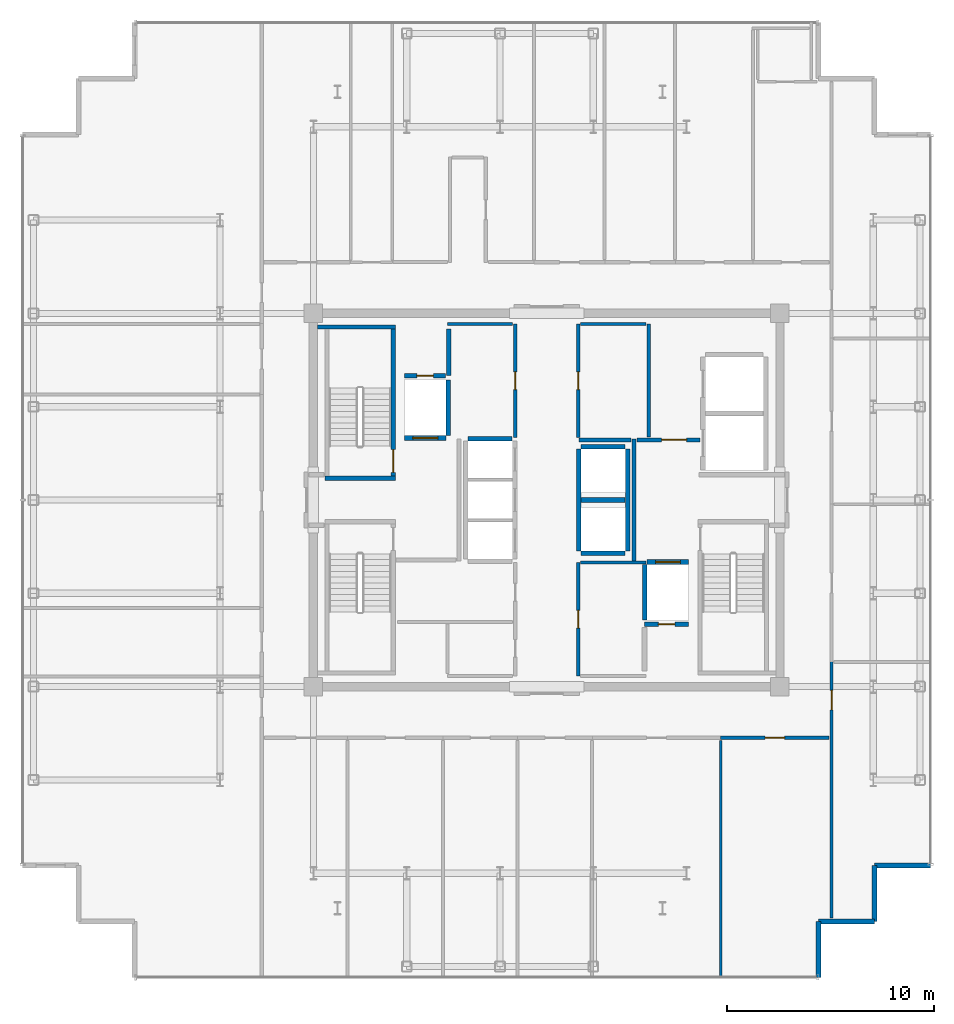
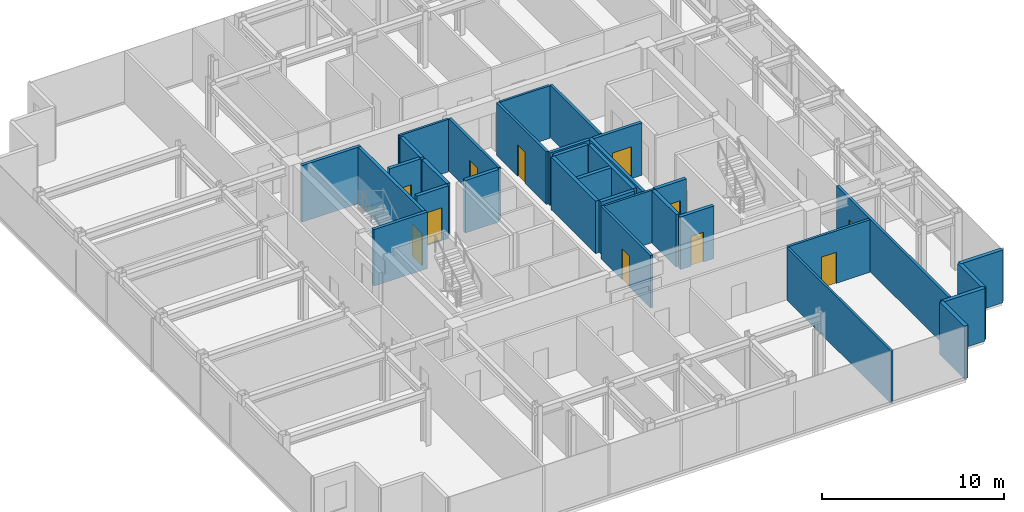
# One storey, part 14 of 17: 33 walls, 11 doors, 11 openings.
"""IFC4 building model written with IfcOpenShell, lengths in metres."""

import ifcopenshell
import ifcopenshell.guid

model = None  # the IFC model being written
_history = None  # IfcOwnerHistory: only IFC2X3 demands one
_inside = {}  # id of a spatial element -> (the spatial element, [elements in it])
_under = {}  # id of a project, library or spatial element -> (it, [spatial elements below it])
_declared = {}  # id of a project -> (the project, [libraries it declares])
_typed = {}  # id of a type object -> (the type object, [elements of that type])
_made_of = {}  # id of a material, layer set ... -> (it, [elements and type objects made of it])


def new_model(schema):
    """Start an empty IFC model of exactly this schema.

    Asked for "IFC4X3", IfcOpenShell would pick the latest addendum, in which some entities
    have other attributes; the version numbers below select the first issue.
    IFC2X3 requires an IfcOwnerHistory on every rooted entity: one is made here for all.
    """
    global model, _history
    if schema == "IFC4X3":
        model = ifcopenshell.file(schema_version=(4, 3, 0, 0))
    else:
        model = ifcopenshell.file(schema=schema)
    _inside.clear()
    _under.clear()
    _declared.clear()
    _typed.clear()
    _made_of.clear()
    _history = None
    if model.schema == "IFC2X3":
        org = make("IfcOrganization", Name="unknown")
        user = make(
            "IfcPersonAndOrganization",
            ThePerson=make("IfcPerson", FamilyName="unknown"),
            TheOrganization=org,
        )
        app = make(
            "IfcApplication",
            ApplicationDeveloper=org,
            Version="unknown",
            ApplicationFullName="unknown",
            ApplicationIdentifier="unknown",
        )
        _history = make(
            "IfcOwnerHistory",
            OwningUser=user,
            OwningApplication=app,
            ChangeAction="ADDED",
            CreationDate=0,
        )
    return model


def make(cls, **values):
    """One entity of the class cls with the attributes given. An attribute that is None is left unset."""
    return model.create_entity(
        cls, **{name: value for name, value in values.items() if value is not None}
    )


def rooted(cls, **values):
    """An entity with a GlobalId (a new one), such as an element, a storey or a relation."""
    return make(cls, GlobalId=ifcopenshell.guid.new(), OwnerHistory=_history, **values)


def si_unit(unit_type, name, prefix=None):
    """IfcSIUnit, for example si_unit("LENGTHUNIT", "METRE", prefix="MILLI")."""
    return make("IfcSIUnit", UnitType=unit_type, Prefix=prefix, Name=name)


def assignment(units):
    """IfcUnitAssignment: the units of a project."""
    return None if units is None else make("IfcUnitAssignment", Units=units)


def point(xyz):
    """IfcCartesianPoint."""
    return None if xyz is None else make("IfcCartesianPoint", Coordinates=xyz)


def direction(xyz):
    """IfcDirection."""
    return None if xyz is None else make("IfcDirection", DirectionRatios=xyz)


def frame(location, z_axis=None, x_axis=None):
    """IfcAxis2Placement3D, a coordinate frame: its origin and axes. An axis left out is left unset."""
    return make(
        "IfcAxis2Placement3D",
        Location=point(location),
        Axis=direction(z_axis),
        RefDirection=direction(x_axis),
    )


def frame_2d(location, x_axis=None):
    """IfcAxis2Placement2D, a coordinate frame in the plane: its origin and x axis."""
    return make(
        "IfcAxis2Placement2D", Location=point(location), RefDirection=direction(x_axis)
    )


def origin():
    """The frame at (0, 0, 0) with its axes left unset."""
    return frame((0.0, 0.0, 0.0))


def place(relative_to, where):
    """IfcLocalPlacement: puts the frame where relative to a parent placement (None: the world)."""
    return make(
        "IfcLocalPlacement", PlacementRelTo=relative_to, RelativePlacement=where
    )


def context(
    kind, dimensions, precision=None, world=None, true_north=None, identifier=None
):
    """IfcGeometricRepresentationContext, for example the 3D "Model" context."""
    return make(
        "IfcGeometricRepresentationContext",
        ContextIdentifier=identifier,
        ContextType=kind,
        CoordinateSpaceDimension=dimensions,
        Precision=precision,
        WorldCoordinateSystem=world,
        TrueNorth=true_north,
    )


def subcontext(parent, identifier, kind, view, scale=None):
    """IfcGeometricRepresentationSubContext, for example "Body" below "Model"."""
    return make(
        "IfcGeometricRepresentationSubContext",
        ContextIdentifier=identifier,
        ContextType=kind,
        ParentContext=parent,
        TargetScale=scale,
        TargetView=view,
    )


def project(units=None, contexts=None):
    """IfcProject with its units and contexts."""
    return rooted(
        "IfcProject",
        Name="project",
        RepresentationContexts=contexts,
        UnitsInContext=assignment(units),
    )


def spatial(cls, under=None, at=None, **own):
    """A site, building, storey or space (cls), placed at a placement, below another one or the project."""
    s = rooted(cls, ObjectPlacement=at, **own)
    if under is not None:
        _under.setdefault(under.id(), (under, []))[1].append(s)
    return s


def profile(cls, at=None, kind="AREA", **sizes):
    """A parametric profile (cls). Its sizes go by their IFC names, for example OverallWidth=200.0."""
    return make(cls, ProfileType=kind, Position=at, **sizes)


def rectangle(**sizes):
    """IfcRectangleProfileDef."""
    return profile("IfcRectangleProfileDef", **sizes)


def extrude(swept, where, along, depth):
    """IfcExtrudedAreaSolid: the profile swept, set in the frame where, extruded along a direction by depth."""
    return make(
        "IfcExtrudedAreaSolid",
        SweptArea=swept,
        Position=where,
        ExtrudedDirection=direction(along),
        Depth=depth,
    )


def shape(context_of_items, identifier, shape_type, items):
    """IfcShapeRepresentation: the items that make up one representation, for example the "Body"."""
    return make(
        "IfcShapeRepresentation",
        ContextOfItems=context_of_items,
        RepresentationIdentifier=identifier,
        RepresentationType=shape_type,
        Items=items,
    )


def source(mapping_origin, context_of_items, identifier, shape_type, items):
    """IfcRepresentationMap: a shape defined once, which mapped items show again and again."""
    return make(
        "IfcRepresentationMap",
        MappingOrigin=mapping_origin,
        MappedRepresentation=shape(context_of_items, identifier, shape_type, items),
    )


def transform(
    local_origin,
    x_axis=None,
    y_axis=None,
    z_axis=None,
    scale=None,
    scale2=None,
    scale3=None,
    uniform=True,
):
    """IfcCartesianTransformationOperator3D, or its non-uniform kind. x_axis, y_axis, z_axis: its Axis1, 2, 3."""
    if uniform:
        return make(
            "IfcCartesianTransformationOperator3D",
            Axis1=direction(x_axis),
            Axis2=direction(y_axis),
            LocalOrigin=point(local_origin),
            Scale=scale,
            Axis3=direction(z_axis),
        )
    return make(
        "IfcCartesianTransformationOperator3DnonUniform",
        Axis1=direction(x_axis),
        Axis2=direction(y_axis),
        LocalOrigin=point(local_origin),
        Scale=scale,
        Axis3=direction(z_axis),
        Scale2=scale2,
        Scale3=scale3,
    )


def mapped(mapping_source, mapping_target):
    """IfcMappedItem: shows the shape of a source again, moved by a transform."""
    return make(
        "IfcMappedItem", MappingSource=mapping_source, MappingTarget=mapping_target
    )


def material(Name=None, Category=None):
    """IfcMaterial."""
    return make("IfcMaterial", Name=Name, Category=Category)


def layer(
    of_material, thickness, ventilated=None, Name=None, Category=None, Priority=None
):
    """IfcMaterialLayer: one layer of a wall or slab, of a material (None: an air gap)."""
    return make(
        "IfcMaterialLayer",
        Material=of_material,
        LayerThickness=thickness,
        IsVentilated=ventilated,
        Name=Name,
        Category=Category,
        Priority=Priority,
    )


def layer_set(layers, Name=None):
    """IfcMaterialLayerSet."""
    return make("IfcMaterialLayerSet", MaterialLayers=layers, LayerSetName=Name)


def made_of(thing, what):
    """Note that an element or type object is made of a material, layer set ...; save() writes the relation."""
    if what is not None:
        _made_of.setdefault(what.id(), (what, []))[1].append(thing)
    return thing


def type_object(cls, material=None, **own):
    """A type object (cls), such as IfcWallType, which elements share."""
    return made_of(rooted(cls, **own), material)


def element(
    cls,
    number,
    at=None,
    inside=None,
    cuts=None,
    type_object=None,
    material=None,
    context=None,
    identifier="Body",
    shape_type=None,
    held_by="IfcProductDefinitionShape",
    body=None,
    shapes=None,
    **own,
):
    """One element of the class cls, such as IfcWall. Its Tag is "e" and its number.

    at: its placement. inside: the storey or other place that contains it. cuts: it is an
    opening in that element (IfcRelVoidsElement). A single representation is given by context,
    identifier, shape_type and body (its items); several are given by shapes. held_by: the class
    of the entity that holds the representations. save() writes the other relations.
    """
    e = rooted(cls, Tag="e%d" % number, ObjectPlacement=at, **own)
    if body is not None:
        shapes = [shape(context, identifier, shape_type, body)]
    if shapes is not None:
        e.Representation = make(held_by, Representations=shapes)
    if inside is not None:
        _inside.setdefault(inside.id(), (inside, []))[1].append(e)
    if cuts is not None:
        rooted(
            "IfcRelVoidsElement", RelatingBuildingElement=cuts, RelatedOpeningElement=e
        )
    if type_object is not None:
        _typed.setdefault(type_object.id(), (type_object, []))[1].append(e)
    return made_of(e, material)


def fill(opening, filler):
    """IfcRelFillsElement: the door or window that sits in an opening."""
    return rooted(
        "IfcRelFillsElement",
        RelatingOpeningElement=opening,
        RelatedBuildingElement=filler,
    )


def aggregate(whole, parts):
    """IfcRelAggregates: a whole, such as a stair, and the parts it consists of."""
    return rooted("IfcRelAggregates", RelatingObject=whole, RelatedObjects=parts)


def save(model, path):
    """Write the relations noted so far, then the file.

    IfcRelAggregates (storeys below a building ...), IfcRelContainedInSpatialStructure (elements
    in a storey), IfcRelDefinesByType, IfcRelAssociatesMaterial and IfcRelDeclares: one each for
    every whole, place, type object, material and project.
    """
    for whole, parts in _under.values():
        aggregate(whole, parts)
    for where, things in _inside.values():
        rooted(
            "IfcRelContainedInSpatialStructure",
            RelatedElements=things,
            RelatingStructure=where,
        )
    for kind, things in _typed.values():
        rooted("IfcRelDefinesByType", RelatedObjects=things, RelatingType=kind)
    for what, things in _made_of.values():
        rooted("IfcRelAssociatesMaterial", RelatedObjects=things, RelatingMaterial=what)
    for by, libraries in _declared.values():
        rooted("IfcRelDeclares", RelatingContext=by, RelatedDefinitions=libraries)
    model.write(path)


model = new_model("IFC4")

# Units and contexts
model_context = context("Model", 3, precision=1e-05, world=origin(), true_north=direction((0.0, 1.0)))
body_context = subcontext(model_context, "Body", "Model", "MODEL_VIEW")
ifc_project = project(units=[si_unit("LENGTHUNIT", "METRE"), si_unit("AREAUNIT", "SQUARE_METRE"), si_unit("VOLUMEUNIT", "CUBIC_METRE"), si_unit("PLANEANGLEUNIT", "RADIAN"), si_unit("MASSUNIT", "GRAM", prefix="KILO")], contexts=[model_context])

# Site, building, storey
site_placement = place(None, origin())
site = spatial("IfcSite", under=ifc_project, at=site_placement, CompositionType="ELEMENT")
building_placement = place(site_placement, origin())
building = spatial("IfcBuilding", under=site, at=building_placement, Name="Nefas-Gora Pilgrimage Tower", CompositionType="ELEMENT")
storey_placement = place(building_placement, frame((0.0, 0.0, 341.39990234375)))
storey = spatial("IfcBuildingStorey", under=building, at=storey_placement, Name="L86", CompositionType="ELEMENT", Elevation=341.39990234375)

# Walls
ifc_material_1 = material(Name="Precast concrete C45/55", Category="concrete")
ifc_layer_1 = layer(ifc_material_1, 0.239990234375)
ifc_layer_set_1 = layer_set([ifc_layer_1], Name="Precast concrete C45/55")
wall_type_1 = type_object("IfcWallType", Name="EW-SERR-240", PredefinedType="SHEAR", material=ifc_layer_set_1)
shared_shape_1 = source(origin(), body_context, "Body", "SweptSolid", [
    extrude(rectangle(XDim=2.699951171875, YDim=0.239990234375, at=frame_2d((1.35009765625, 0.0))), origin(), (0.0, 0.0, 1.0), 3.550048828125),
])
for number, where, z_axis, x_axis, name in (
    (1, (13.1201171875, -23.02001953125, 0.0), (0.0, 0.0, 1.0), (0.0, 1.0, 0.0), "L86 Serrated Corner Shear Pier Wall 13"),
    (2, (13.1201171875, -20.320068359375, 0.0), (0.0, 0.0, 1.0), (1.0, 0.0, 0.0), "L86 Serrated Corner Shear Pier Wall 14"),
    (3, (15.820068359375, -20.320068359375, 0.0), (0.0, 0.0, 1.0), (0.0, 1.0, 0.0), "L86 Serrated Corner Shear Pier Wall 15"),
    (4, (15.820068359375, -17.6201171875, 0.0), (0.0, 0.0, 1.0), (1.0, 0.0, 0.0), "L86 Serrated Corner Shear Pier Wall 16"),
):
    element("IfcWall", number, at=place(storey_placement, frame(where, z_axis=z_axis, x_axis=x_axis)), inside=storey, type_object=wall_type_1, Name=name, PredefinedType="SHEAR", context=body_context, shape_type="MappedRepresentation", body=[
        mapped(shared_shape_1, transform((0.0, 0.0, 0.0), x_axis=(1.0, 0.0, 0.0), y_axis=(0.0, 1.0, 0.0), z_axis=(0.0, 0.0, 1.0), scale=1.0)),
    ])
ifc_material_2 = material(Name="Concrete C45/55", Category="concrete")
ifc_layer_2 = layer(ifc_material_2, 0.199951171875)
ifc_layer_set_2 = layer_set([ifc_layer_2], Name="Concrete C45/55")
wall_type_2 = type_object("IfcWallType", Name="IW-STAIR-200", PredefinedType="SOLIDWALL", material=ifc_layer_set_2)
shared_shape_2 = source(origin(), body_context, "Body", "SweptSolid", [
    extrude(rectangle(XDim=3.39990234375, YDim=0.199951171875, at=frame_2d((1.699951171875, 0.0))), origin(), (0.0, 0.0, 1.0), 3.800048828125),
])
wall_1_placement = place(storey_placement, frame((-7.300048828125, 1.050048828125, 0.0), z_axis=(0.0, 0.0, 1.0), x_axis=(-1.0, 0.0, 0.0)))
element("IfcWall", 5, at=wall_1_placement, inside=storey, type_object=wall_type_2, Name="L86 Stairwell Shear Wall ST-01-near", PredefinedType="SOLIDWALL", context=body_context, shape_type="MappedRepresentation", body=[
    mapped(shared_shape_2, transform((0.0, 0.0, 0.0), x_axis=(1.0, 0.0, 0.0), y_axis=(0.0, 1.0, 0.0), z_axis=(0.0, 0.0, 1.0), scale=1.0)),
])

# Wall, opening, door
shared_shape_3 = source(origin(), body_context, "Body", "SweptSolid", [
    extrude(rectangle(XDim=7.10009765625, YDim=0.199951171875, at=frame_2d((3.550048828125, 0.0))), origin(), (0.0, 0.0, 1.0), 3.800048828125),
])
wall_2_placement = place(storey_placement, frame((-7.39990234375, 1.14990234375, 0.0), z_axis=(0.0, 0.0, 1.0), x_axis=(0.0, 1.0, 0.0)))
wall_2 = element("IfcWall", 6, at=wall_2_placement, inside=storey, type_object=wall_type_2, Name="L86 Stairwell Shear Wall ST-01-left", PredefinedType="SOLIDWALL", context=body_context, shape_type="MappedRepresentation", body=[
    mapped(shared_shape_3, transform((0.0, 0.0, 0.0), x_axis=(1.0, 0.0, 0.0), y_axis=(0.0, 1.0, 0.0), z_axis=(0.0, 0.0, 1.0), scale=1.0)),
])
opening_1_placement = place(wall_2_placement, frame((0.179931640625, 0.0, 0.0)))
opening_1 = element("IfcOpeningElement", 7, at=opening_1_placement, cuts=wall_2, Name="Opening ID-ST1", PredefinedType="OPENING", context=body_context, shape_type="SweptSolid", body=[
    extrude(rectangle(XDim=1.10009765625, YDim=2.14990234375, at=frame_2d((0.550048828125, 1.074951171875))), frame((0.0, 0.10986328125, 0.0), z_axis=(0.0, -1.0, 0.0), x_axis=(1.0, 0.0, 0.0)), (0.0, 0.0, 1.0), 0.219970703125),
])
ifc_material_3 = material(Name="Painted galvanised steel fire stair door", Category="steel")
door_type_1 = type_object("IfcDoorType", Name="DR-INT-STAIR-1100", OperationType="NOTDEFINED", PredefinedType="DOOR", material=ifc_material_3)
shared_shape_4 = source(origin(), body_context, "Body", "SweptSolid", [
    extrude(rectangle(XDim=1.10009765625, YDim=2.14990234375, at=frame_2d((0.550048828125, 1.074951171875))), frame((0.0, 0.02490234375, 0.0), z_axis=(0.0, -1.0, 0.0), x_axis=(1.0, 0.0, 0.0)), (0.0, 0.0, 1.0), 0.050048828125),
])
door_1_placement = place(opening_1_placement, origin())
door_1 = element("IfcDoor", 8, at=door_1_placement, inside=storey, type_object=door_type_1, Name="L86 Protected Exit Stair Door ST-01", OperationType="SINGLE_SWING_RIGHT", OverallHeight=2.14990234375, OverallWidth=1.10009765625, PredefinedType="DOOR", context=body_context, shape_type="MappedRepresentation", body=[
    mapped(shared_shape_4, transform((0.0, 0.0, 0.0), x_axis=(1.0, 0.0, 0.0), y_axis=(0.0, 1.0, 0.0), z_axis=(0.0, 0.0, 1.0), scale=1.0)),
])
fill(opening_1, door_1)

# Wall
shared_shape_5 = source(origin(), body_context, "Body", "SweptSolid", [
    extrude(rectangle(XDim=3.7548828125, YDim=0.199951171875, at=frame_2d((1.87744140625, 0.0))), origin(), (0.0, 0.0, 1.0), 3.800048828125),
])
wall_3_placement = place(storey_placement, frame((-7.300048828125, 8.35009765625, 0.0), z_axis=(0.0, 0.0, 1.0), x_axis=(-1.0, 0.0, 0.0)))
element("IfcWall", 9, at=wall_3_placement, inside=storey, type_object=wall_type_2, Name="L86 Stairwell Shear Wall ST-01-far", PredefinedType="SOLIDWALL", context=body_context, shape_type="MappedRepresentation", body=[
    mapped(shared_shape_5, transform((0.0, 0.0, 0.0), x_axis=(1.0, 0.0, 0.0), y_axis=(0.0, 1.0, 0.0), z_axis=(0.0, 0.0, 1.0), scale=1.0)),
])

# Wall, opening, door
ifc_material_4 = material(Name="Concrete C40/50", Category="concrete")
ifc_layer_3 = layer(ifc_material_4, 0.219970703125)
ifc_layer_set_3 = layer_set([ifc_layer_3], Name="Concrete C40/50")
wall_type_3 = type_object("IfcWallType", Name="IW-SHAFT-220", PredefinedType="SOLIDWALL", material=ifc_layer_set_3)
shared_shape_6 = source(origin(), body_context, "Body", "SweptSolid", [
    extrude(rectangle(XDim=2.0, YDim=0.219970703125, at=frame_2d((1.0, 0.0))), origin(), (0.0, 0.0, 1.0), 3.53515625),
])
wall_4_placement = place(storey_placement, frame((-6.85009765625, 2.989990234375, 0.0), z_axis=(0.0, 0.0, 1.0), x_axis=(1.0, 0.0, 0.0)))
wall_4 = element("IfcWall", 10, at=wall_4_placement, inside=storey, type_object=wall_type_3, Name="L86 Hoistway Wall FFL-01-S", PredefinedType="SOLIDWALL", context=body_context, shape_type="MappedRepresentation", body=[
    mapped(shared_shape_6, transform((0.0, 0.0, 0.0), x_axis=(1.0, 0.0, 0.0), y_axis=(0.0, 1.0, 0.0), z_axis=(0.0, 0.0, 1.0), scale=1.0)),
])
opening_2_placement = place(wall_4_placement, frame((0.39990234375, 0.0, 0.0)))
opening_2 = element("IfcOpeningElement", 11, at=opening_2_placement, cuts=wall_4, Name="Opening LD-FF", PredefinedType="OPENING", context=body_context, shape_type="SweptSolid", body=[
    extrude(rectangle(XDim=1.199951171875, YDim=2.199951171875, at=frame_2d((0.60009765625, 1.10009765625))), frame((0.0, 0.119873046875, 0.0), z_axis=(0.0, -1.0, 0.0), x_axis=(1.0, 0.0, 0.0)), (0.0, 0.0, 1.0), 0.239990234375),
])
ifc_material_5 = material(Name="Fire-service sliding lift landing door")
door_type_2 = type_object("IfcDoorType", Name="DR-LIFT-FSAE-1200", OperationType="SLIDING_TO_LEFT", PredefinedType="DOOR", material=ifc_material_5)
shared_shape_7 = source(origin(), body_context, "Body", "SweptSolid", [
    extrude(rectangle(XDim=1.199951171875, YDim=2.199951171875, at=frame_2d((0.60009765625, 1.10009765625))), frame((0.0, 0.02490234375, 0.0), z_axis=(0.0, -1.0, 0.0), x_axis=(1.0, 0.0, 0.0)), (0.0, 0.0, 1.0), 0.050048828125),
])
door_2_placement = place(opening_2_placement, origin())
door_2 = element("IfcDoor", 12, at=door_2_placement, inside=storey, type_object=door_type_2, Name="L86 Sliding Lift Landing Door FFL-01", OperationType="SLIDING_TO_LEFT", OverallHeight=2.199951171875, OverallWidth=1.199951171875, PredefinedType="DOOR", context=body_context, shape_type="MappedRepresentation", body=[
    mapped(shared_shape_7, transform((0.0, 0.0, 0.0), x_axis=(1.0, 0.0, 0.0), y_axis=(0.0, 1.0, 0.0), z_axis=(0.0, 0.0, 1.0), scale=1.0)),
])
fill(opening_2, door_2)

wall_5_placement = place(storey_placement, frame((6.85009765625, -2.989990234375, 0.0), z_axis=(0.0, 0.0, 1.0), x_axis=(-1.0, 0.0, 0.0)))
wall_5 = element("IfcWall", 13, at=wall_5_placement, inside=storey, type_object=wall_type_3, Name="L86 Hoistway Wall FFL-02-N", PredefinedType="SOLIDWALL", context=body_context, shape_type="MappedRepresentation", body=[
    mapped(shared_shape_6, transform((0.0, 0.0, 0.0), x_axis=(1.0, 0.0, 0.0), y_axis=(0.0, 1.0, 0.0), z_axis=(0.0, 0.0, 1.0), scale=1.0)),
])
opening_3_placement = place(wall_5_placement, frame((0.39990234375, 0.0, 0.0)))
opening_3 = element("IfcOpeningElement", 14, at=opening_3_placement, cuts=wall_5, Name="Opening LD-FF", PredefinedType="OPENING", context=body_context, shape_type="SweptSolid", body=[
    extrude(rectangle(XDim=1.199951171875, YDim=2.199951171875, at=frame_2d((0.60009765625, 1.10009765625))), frame((0.0, 0.119873046875, 0.0), z_axis=(0.0, -1.0, 0.0), x_axis=(1.0, 0.0, 0.0)), (0.0, 0.0, 1.0), 0.239990234375),
])
door_3_placement = place(opening_3_placement, origin())
door_3 = element("IfcDoor", 15, at=door_3_placement, inside=storey, type_object=door_type_2, Name="L86 Sliding Lift Landing Door FFL-02", OperationType="SLIDING_TO_LEFT", OverallHeight=2.199951171875, OverallWidth=1.199951171875, PredefinedType="DOOR", context=body_context, shape_type="MappedRepresentation", body=[
    mapped(shared_shape_7, transform((0.0, 0.0, 0.0), x_axis=(1.0, 0.0, 0.0), y_axis=(0.0, 1.0, 0.0), z_axis=(0.0, 0.0, 1.0), scale=1.0)),
])
fill(opening_3, door_3)

# Walls
shared_shape_8 = source(origin(), body_context, "Body", "SweptSolid", [
    extrude(rectangle(XDim=2.679931640625, YDim=0.219970703125, at=frame_2d((1.33984375, 0.0))), origin(), (0.0, 0.0, 1.0), 3.53515625),
])
for number, where, z_axis, x_axis, name in (
    (16, (-4.739990234375, 3.110107421875, 0.0), (0.0, 0.0, 1.0), (0.0, 1.0, 0.0), "L86 Hoistway Wall FFL-01-E"),
    (17, (4.739990234375, -3.110107421875, 0.0), (0.0, 0.0, 1.0), (0.0, -1.0, 0.0), "L86 Hoistway Wall FFL-02-W"),
):
    element("IfcWall", number, at=place(storey_placement, frame(where, z_axis=z_axis, x_axis=x_axis)), inside=storey, type_object=wall_type_3, Name=name, PredefinedType="SOLIDWALL", context=body_context, shape_type="MappedRepresentation", body=[
        mapped(shared_shape_8, transform((0.0, 0.0, 0.0), x_axis=(1.0, 0.0, 0.0), y_axis=(0.0, 1.0, 0.0), z_axis=(0.0, 0.0, 1.0), scale=1.0)),
    ])
shared_shape_9 = source(origin(), body_context, "Body", "SweptSolid", [
    extrude(rectangle(XDim=2.130126953125, YDim=0.219970703125, at=frame_2d((1.06494140625, 0.0))), origin(), (0.0, 0.0, 1.0), 3.53515625),
])
for number, where, z_axis, x_axis, name in (
    (18, (-1.659912109375, 2.9599609375, 0.0), (0.0, 0.0, 1.0), (-1.0, 0.0, 0.0), "L86 Hoistway Wall PL3-03-N"),
    (19, (1.659912109375, -2.56005859375, 0.0), (0.0, 0.0, 1.0), (1.0, 0.0, 0.0), "L86 Hoistway Wall OBS-01-S"),
    (20, (1.659912109375, 0.0, 0.0), (0.0, 0.0, 1.0), (1.0, 0.0, 0.0), "L86 Hoistway Wall OBS-01-02-DIV"),
    (21, (3.7900390625, 2.56005859375, 0.0), (0.0, 0.0, 1.0), (-1.0, 0.0, 0.0), "L86 Hoistway Wall OBS-02-N"),
):
    element("IfcWall", number, at=place(storey_placement, frame(where, z_axis=z_axis, x_axis=x_axis)), inside=storey, type_object=wall_type_3, Name=name, PredefinedType="SOLIDWALL", context=body_context, shape_type="MappedRepresentation", body=[
        mapped(shared_shape_9, transform((0.0, 0.0, 0.0), x_axis=(1.0, 0.0, 0.0), y_axis=(0.0, 1.0, 0.0), z_axis=(0.0, 0.0, 1.0), scale=1.0)),
    ])

# Wall, opening, door
wall_6_placement = place(storey_placement, frame((4.719970703125, -6.0, 0.0), z_axis=(0.0, 0.0, 1.0), x_axis=(1.0, 0.0, 0.0)))
wall_6 = element("IfcWall", 22, at=wall_6_placement, inside=storey, type_object=wall_type_3, Name="L86 Riser Shaft Wall 3", PredefinedType="SOLIDWALL", context=body_context, shape_type="MappedRepresentation", body=[
    mapped(shared_shape_9, transform((0.0, 0.0, 0.0), x_axis=(1.0, 0.0, 0.0), y_axis=(0.0, 1.0, 0.0), z_axis=(0.0, 0.0, 1.0), scale=1.0)),
])
opening_4_placement = place(wall_6_placement, frame((0.6650390625, 0.0, 0.0)))
opening_4 = element("IfcOpeningElement", 23, at=opening_4_placement, cuts=wall_6, Name="Opening ID-TR1", PredefinedType="OPENING", context=body_context, shape_type="SweptSolid", body=[
    extrude(rectangle(XDim=0.800048828125, YDim=2.0, at=frame_2d((0.39990234375, 1.0))), frame((0.0, 0.119873046875, 0.0), z_axis=(0.0, -1.0, 0.0), x_axis=(1.0, 0.0, 0.0)), (0.0, 0.0, 1.0), 0.239990234375),
])
ifc_material_6 = material(Name="Riser maintenance fire access door")
door_type_3 = type_object("IfcDoorType", Name="DR-INT-TRAP-800", OperationType="NOTDEFINED", PredefinedType="TRAPDOOR", material=ifc_material_6)
shared_shape_10 = source(origin(), body_context, "Body", "SweptSolid", [
    extrude(rectangle(XDim=0.800048828125, YDim=2.0, at=frame_2d((0.39990234375, 1.0))), frame((0.0, 0.02490234375, 0.0), z_axis=(0.0, -1.0, 0.0), x_axis=(1.0, 0.0, 0.0)), (0.0, 0.0, 1.0), 0.050048828125),
])
door_4_placement = place(opening_4_placement, origin())
door_4 = element("IfcDoor", 24, at=door_4_placement, inside=storey, type_object=door_type_3, Name="L86 Riser Shaft Door 2", OperationType="SINGLE_SWING_RIGHT", OverallHeight=2.0, OverallWidth=0.800048828125, PredefinedType="TRAPDOOR", context=body_context, shape_type="MappedRepresentation", body=[
    mapped(shared_shape_10, transform((0.0, 0.0, 0.0), x_axis=(1.0, 0.0, 0.0), y_axis=(0.0, 1.0, 0.0), z_axis=(0.0, 0.0, 1.0), scale=1.0)),
])
fill(opening_4, door_4)

# Walls
shared_shape_11 = source(origin(), body_context, "Body", "SweptSolid", [
    extrude(rectangle(XDim=4.89990234375, YDim=0.219970703125, at=frame_2d((2.449951171875, 0.0))), origin(), (0.0, 0.0, 1.0), 3.53515625),
])
for number, where, z_axis, x_axis, name in (
    (25, (1.5400390625, 2.449951171875, 0.0), (0.0, 0.0, 1.0), (0.0, -1.0, 0.0), "L86 Hoistway Wall OBS-01-02-W"),
    (26, (3.909912109375, -2.449951171875, 0.0), (0.0, 0.0, 1.0), (0.0, 1.0, 0.0), "L86 Hoistway Wall OBS-01-02-E"),
):
    element("IfcWall", number, at=place(storey_placement, frame(where, z_axis=z_axis, x_axis=x_axis)), inside=storey, type_object=wall_type_3, Name=name, PredefinedType="SOLIDWALL", context=body_context, shape_type="MappedRepresentation", body=[
        mapped(shared_shape_11, transform((0.0, 0.0, 0.0), x_axis=(1.0, 0.0, 0.0), y_axis=(0.0, 1.0, 0.0), z_axis=(0.0, 0.0, 1.0), scale=1.0)),
    ])
ifc_material_7 = material(Name="Gypsum fire-rated shaftwall")
ifc_layer_4 = layer(ifc_material_7, 0.199951171875)
ifc_layer_set_4 = layer_set([ifc_layer_4], Name="Gypsum fire-rated shaftwall")
wall_type_4 = type_object("IfcWallType", Name="IW-FFLOB-200", PredefinedType="PARTITIONING", material=ifc_layer_set_4)
shared_shape_12 = source(origin(), body_context, "Body", "SweptSolid", [
    extrude(rectangle(XDim=5.89990234375, YDim=0.199951171875, at=frame_2d((2.949951171875, 0.0))), origin(), (0.0, 0.0, 1.0), 3.53515625),
])
wall_7_placement = place(storey_placement, frame((4.219970703125, -2.949951171875, 0.0), z_axis=(0.0, 0.0, 1.0), x_axis=(0.0, 1.0, 0.0)))
element("IfcWall", 27, at=wall_7_placement, inside=storey, type_object=wall_type_4, Name="L86 FF Lobby East Inner Wall Wall 11", PredefinedType="PARTITIONING", context=body_context, shape_type="MappedRepresentation", body=[
    mapped(shared_shape_12, transform((0.0, 0.0, 0.0), x_axis=(1.0, 0.0, 0.0), y_axis=(0.0, 1.0, 0.0), z_axis=(0.0, 0.0, 1.0), scale=1.0)),
])

# Wall, opening, door
shared_shape_13 = source(origin(), body_context, "Body", "SweptSolid", [
    extrude(rectangle(XDim=3.039794921875, YDim=0.199951171875, at=frame_2d((1.52001953125, 0.0))), origin(), (0.0, 0.0, 1.0), 3.53515625),
])
wall_8_placement = place(storey_placement, frame((4.360107421875, 2.89990234375, 0.0), z_axis=(0.0, 0.0, 1.0), x_axis=(1.0, 0.0, 0.0)))
wall_8 = element("IfcWall", 28, at=wall_8_placement, inside=storey, type_object=wall_type_4, Name="L86 FF Lobby East North Wall Wall 13", PredefinedType="PARTITIONING", context=body_context, shape_type="MappedRepresentation", body=[
    mapped(shared_shape_13, transform((0.0, 0.0, 0.0), x_axis=(1.0, 0.0, 0.0), y_axis=(0.0, 1.0, 0.0), z_axis=(0.0, 0.0, 1.0), scale=1.0)),
])
opening_5_placement = place(wall_8_placement, frame((1.18994140625, 0.0, 0.0)))
opening_5 = element("IfcOpeningElement", 29, at=opening_5_placement, cuts=wall_8, Name="Opening ID-PL1", PredefinedType="OPENING", context=body_context, shape_type="SweptSolid", body=[
    extrude(rectangle(XDim=1.199951171875, YDim=2.14990234375, at=frame_2d((0.60009765625, 1.074951171875))), frame((0.0, 0.10986328125, 0.0), z_axis=(0.0, -1.0, 0.0), x_axis=(1.0, 0.0, 0.0)), (0.0, 0.0, 1.0), 0.219970703125),
])
ifc_material_8 = material(Name="Heavy-duty steel plant room fire door", Category="steel")
door_type_4 = type_object("IfcDoorType", Name="DR-INT-PLANT-1200", OperationType="NOTDEFINED", PredefinedType="DOOR", material=ifc_material_8)
shared_shape_14 = source(origin(), body_context, "Body", "SweptSolid", [
    extrude(rectangle(XDim=1.199951171875, YDim=2.14990234375, at=frame_2d((0.60009765625, 1.074951171875))), frame((0.0, 0.02490234375, 0.0), z_axis=(0.0, -1.0, 0.0), x_axis=(1.0, 0.0, 0.0)), (0.0, 0.0, 1.0), 0.050048828125),
])
door_5_placement = place(opening_5_placement, origin())
door_5 = element("IfcDoor", 30, at=door_5_placement, inside=storey, type_object=door_type_4, Name="L86 Service Lift Lobby Door Door 5", OperationType="SINGLE_SWING_LEFT", OverallHeight=2.14990234375, OverallWidth=1.199951171875, PredefinedType="DOOR", context=body_context, shape_type="MappedRepresentation", body=[
    mapped(shared_shape_14, transform((0.0, 0.0, 0.0), x_axis=(1.0, 0.0, 0.0), y_axis=(0.0, 1.0, 0.0), z_axis=(0.0, 0.0, 1.0), scale=1.0)),
])
fill(opening_5, door_5)

# Walls
ifc_material_9 = material(Name="Gypsum twin-stud partition")
ifc_layer_5 = layer(ifc_material_9, 0.139892578125)
ifc_layer_set_5 = layer_set([ifc_layer_5], Name="Gypsum twin-stud partition")
wall_type_5 = type_object("IfcWallType", Name="IW-UNIT-140", PredefinedType="PARTITIONING", material=ifc_layer_set_5)
shared_shape_15 = source(origin(), body_context, "Body", "SweptSolid", [
    extrude(rectangle(XDim=3.150146484375, YDim=0.139892578125, at=frame_2d((1.5751953125, 0.0))), origin(), (0.0, 0.0, 1.0), 3.53515625),
])
for number, where, z_axis, x_axis, name in (
    (31, (-4.7900390625, 8.47998046875, 0.0), (0.0, 0.0, 1.0), (1.0, 0.0, 0.0), "L86 Housekeeping and Linen Store Partition Wall 24"),
    (32, (1.639892578125, 8.47998046875, 0.0), (0.0, 0.0, 1.0), (1.0, 0.0, 0.0), "L86 Freed Bank-1 Amenity Supply Store Partition Wall 28"),
    (33, (1.639892578125, -3.02001953125, 0.0), (0.0, 0.0, 1.0), (1.0, 0.0, 0.0), "L86 Freed Bank-2 East Linen Store Partition Wall 32"),
):
    element("IfcWall", number, at=place(storey_placement, frame(where, z_axis=z_axis, x_axis=x_axis)), inside=storey, type_object=wall_type_5, Name=name, PredefinedType="PARTITIONING", context=body_context, shape_type="MappedRepresentation", body=[
        mapped(shared_shape_15, transform((0.0, 0.0, 0.0), x_axis=(1.0, 0.0, 0.0), y_axis=(0.0, 1.0, 0.0), z_axis=(0.0, 0.0, 1.0), scale=1.0)),
    ])

# Wall, opening, door
ifc_material_10 = material(Name="Gypsum acoustic stud partition")
ifc_layer_6 = layer(ifc_material_10, 0.159912109375)
ifc_layer_set_6 = layer_set([ifc_layer_6], Name="Gypsum acoustic stud partition")
wall_type_6 = type_object("IfcWallType", Name="IW-CORR-160", PredefinedType="PARTITIONING", material=ifc_layer_set_6)
shared_shape_16 = source(origin(), body_context, "Body", "SweptSolid", [
    extrude(rectangle(XDim=5.22509765625, YDim=0.159912109375, at=frame_2d((2.612548828125, 0.0))), origin(), (0.0, 0.0, 1.0), 3.53515625),
])
wall_9_placement = place(storey_placement, frame((8.39501953125, -11.469970703125, 0.0), z_axis=(0.0, 0.0, 1.0), x_axis=(1.0, 0.0, 0.0)))
wall_9 = element("IfcWall", 34, at=wall_9_placement, inside=storey, type_object=wall_type_6, Name="L86 Pilgrim Contemplative Lounge Partition Wall 77", PredefinedType="PARTITIONING", context=body_context, shape_type="MappedRepresentation", body=[
    mapped(shared_shape_16, transform((0.0, 0.0, 0.0), x_axis=(1.0, 0.0, 0.0), y_axis=(0.0, 1.0, 0.0), z_axis=(0.0, 0.0, 1.0), scale=1.0)),
])
opening_6_placement = place(wall_9_placement, frame((2.137451171875, 0.0, 0.0)))
opening_6 = element("IfcOpeningElement", 35, at=opening_6_placement, cuts=wall_9, Name="Opening ID-GR1", PredefinedType="OPENING", context=body_context, shape_type="SweptSolid", body=[
    extrude(rectangle(XDim=0.949951171875, YDim=2.10009765625, at=frame_2d((0.47509765625, 1.050048828125))), frame((0.0, 0.08984375, 0.0), z_axis=(0.0, -1.0, 0.0), x_axis=(1.0, 0.0, 0.0)), (0.0, 0.0, 1.0), 0.179931640625),
])
ifc_material_11 = material(Name="Solid core oak fire-rated guest entrance door")
door_type_5 = type_object("IfcDoorType", Name="DR-INT-GUEST-950", OperationType="NOTDEFINED", PredefinedType="DOOR", material=ifc_material_11)
shared_shape_17 = source(origin(), body_context, "Body", "SweptSolid", [
    extrude(rectangle(XDim=0.949951171875, YDim=2.10009765625, at=frame_2d((0.47509765625, 1.050048828125))), frame((0.0, 0.02490234375, 0.0), z_axis=(0.0, -1.0, 0.0), x_axis=(1.0, 0.0, 0.0)), (0.0, 0.0, 1.0), 0.050048828125),
])
door_6_placement = place(opening_6_placement, origin())
door_6 = element("IfcDoor", 36, at=door_6_placement, inside=storey, type_object=door_type_5, Name="L86 Pilgrim Contemplative Lounge Door 35", OperationType="SINGLE_SWING_LEFT", OverallHeight=2.10009765625, OverallWidth=0.949951171875, PredefinedType="DOOR", context=body_context, shape_type="MappedRepresentation", body=[
    mapped(shared_shape_17, transform((0.0, 0.0, 0.0), x_axis=(1.0, 0.0, 0.0), y_axis=(0.0, 1.0, 0.0), z_axis=(0.0, 0.0, 1.0), scale=1.0)),
])
fill(opening_6, door_6)

# Wall
shared_shape_18 = source(origin(), body_context, "Body", "SweptSolid", [
    extrude(rectangle(XDim=2.25, YDim=0.219970703125, at=frame_2d((1.125, 0.0))), origin(), (0.0, 0.0, 1.0), 3.53515625),
])
wall_10_placement = place(storey_placement, frame((-4.719970703125, 6.0, 0.0), z_axis=(0.0, 0.0, 1.0), x_axis=(0.0, 1.0, 0.0)))
element("IfcWall", 37, at=wall_10_placement, inside=storey, type_object=wall_type_3, Name="L86 Riser Shaft Wall 1", PredefinedType="SOLIDWALL", context=body_context, shape_type="MappedRepresentation", body=[
    mapped(shared_shape_18, transform((0.0, 0.0, 0.0), x_axis=(1.0, 0.0, 0.0), y_axis=(0.0, 1.0, 0.0), z_axis=(0.0, 0.0, 1.0), scale=1.0)),
])

# Wall, opening, door
shared_shape_19 = source(origin(), body_context, "Body", "SweptSolid", [
    extrude(rectangle(XDim=1.97998046875, YDim=0.219970703125, at=frame_2d((0.989990234375, 0.0))), origin(), (0.0, 0.0, 1.0), 3.53515625),
])
wall_11_placement = place(storey_placement, frame((-6.85009765625, 6.0, 0.0), z_axis=(0.0, 0.0, 1.0), x_axis=(1.0, 0.0, 0.0)))
wall_11 = element("IfcWall", 38, at=wall_11_placement, inside=storey, type_object=wall_type_3, Name="L86 Riser Shaft Wall 2", PredefinedType="SOLIDWALL", context=body_context, shape_type="MappedRepresentation", body=[
    mapped(shared_shape_19, transform((0.0, 0.0, 0.0), x_axis=(1.0, 0.0, 0.0), y_axis=(0.0, 1.0, 0.0), z_axis=(0.0, 0.0, 1.0), scale=1.0)),
])
opening_7_placement = place(wall_11_placement, frame((0.590087890625, 0.0, 0.0)))
opening_7 = element("IfcOpeningElement", 39, at=opening_7_placement, cuts=wall_11, Name="Opening ID-TR1", PredefinedType="OPENING", context=body_context, shape_type="SweptSolid", body=[
    extrude(rectangle(XDim=0.800048828125, YDim=2.0, at=frame_2d((0.39990234375, 1.0))), frame((0.0, 0.119873046875, 0.0), z_axis=(0.0, -1.0, 0.0), x_axis=(1.0, 0.0, 0.0)), (0.0, 0.0, 1.0), 0.239990234375),
])
door_7_placement = place(opening_7_placement, origin())
door_7 = element("IfcDoor", 40, at=door_7_placement, inside=storey, type_object=door_type_3, Name="L86 Riser Shaft Door 1", OperationType="SINGLE_SWING_LEFT", OverallHeight=2.0, OverallWidth=0.800048828125, PredefinedType="TRAPDOOR", context=body_context, shape_type="MappedRepresentation", body=[
    mapped(shared_shape_10, transform((0.0, 0.0, 0.0), x_axis=(1.0, 0.0, 0.0), y_axis=(0.0, 1.0, 0.0), z_axis=(0.0, 0.0, 1.0), scale=1.0)),
])
fill(opening_7, door_7)

# Walls
shared_shape_20 = source(origin(), body_context, "Body", "SweptSolid", [
    extrude(rectangle(XDim=2.52001953125, YDim=0.199951171875, at=frame_2d((1.260009765625, 0.0))), origin(), (0.0, 0.0, 1.0), 3.53515625),
])
wall_12_placement = place(storey_placement, frame((1.56005859375, 2.89990234375, 0.0), z_axis=(0.0, 0.0, 1.0), x_axis=(1.0, 0.0, 0.0)))
element("IfcWall", 41, at=wall_12_placement, inside=storey, type_object=wall_type_4, Name="L86 FF Lobby East North Wall Wall 12", PredefinedType="PARTITIONING", context=body_context, shape_type="MappedRepresentation", body=[
    mapped(shared_shape_20, transform((0.0, 0.0, 0.0), x_axis=(1.0, 0.0, 0.0), y_axis=(0.0, 1.0, 0.0), z_axis=(0.0, 0.0, 1.0), scale=1.0)),
])
shared_shape_21 = source(origin(), body_context, "Body", "SweptSolid", [
    extrude(rectangle(XDim=5.449951171875, YDim=0.159912109375, at=frame_2d((2.72509765625, 0.0))), origin(), (0.0, 0.0, 1.0), 3.53515625),
])
wall_13_placement = place(storey_placement, frame((4.919921875, 3.0400390625, 0.0), z_axis=(0.0, 0.0, 1.0), x_axis=(0.0, 1.0, 0.0)))
element("IfcWall", 42, at=wall_13_placement, inside=storey, type_object=wall_type_6, Name="L86 Service Lift Lobby West Wall Wall 18", PredefinedType="PARTITIONING", context=body_context, shape_type="MappedRepresentation", body=[
    mapped(shared_shape_21, transform((0.0, 0.0, 0.0), x_axis=(1.0, 0.0, 0.0), y_axis=(0.0, 1.0, 0.0), z_axis=(0.0, 0.0, 1.0), scale=1.0)),
])

# Wall, opening, door
shared_shape_22 = source(origin(), body_context, "Body", "SweptSolid", [
    extrude(rectangle(XDim=5.47998046875, YDim=0.159912109375, at=frame_2d((2.739990234375, 0.0))), origin(), (0.0, 0.0, 1.0), 3.53515625),
])
wall_14_placement = place(storey_placement, frame((-1.52001953125, 3.010009765625, 0.0), z_axis=(0.0, 0.0, 1.0), x_axis=(0.0, 1.0, 0.0)))
wall_14 = element("IfcWall", 43, at=wall_14_placement, inside=storey, type_object=wall_type_6, Name="L86 Housekeeping and Linen Store Wall 23", PredefinedType="PARTITIONING", context=body_context, shape_type="MappedRepresentation", body=[
    mapped(shared_shape_22, transform((0.0, 0.0, 0.0), x_axis=(1.0, 0.0, 0.0), y_axis=(0.0, 1.0, 0.0), z_axis=(0.0, 0.0, 1.0), scale=1.0)),
])
opening_8_placement = place(wall_14_placement, frame((2.31494140625, 0.0, 0.0)))
opening_8 = element("IfcOpeningElement", 44, at=opening_8_placement, cuts=wall_14, Name="Opening ID-BT1", PredefinedType="OPENING", context=body_context, shape_type="SweptSolid", body=[
    extrude(rectangle(XDim=0.85009765625, YDim=2.10009765625, at=frame_2d((0.425048828125, 1.050048828125))), frame((0.0, 0.08984375, 0.0), z_axis=(0.0, -1.0, 0.0), x_axis=(1.0, 0.0, 0.0)), (0.0, 0.0, 1.0), 0.179931640625),
])
ifc_material_12 = material(Name="Moisture-resistant fire-rated timber door", Category="wood")
door_type_6 = type_object("IfcDoorType", Name="DR-INT-BATH-850", OperationType="NOTDEFINED", PredefinedType="DOOR", material=ifc_material_12)
shared_shape_23 = source(origin(), body_context, "Body", "SweptSolid", [
    extrude(rectangle(XDim=0.85009765625, YDim=2.10009765625, at=frame_2d((0.425048828125, 1.050048828125))), frame((0.0, 0.02490234375, 0.0), z_axis=(0.0, -1.0, 0.0), x_axis=(1.0, 0.0, 0.0)), (0.0, 0.0, 1.0), 0.050048828125),
])
door_8_placement = place(opening_8_placement, origin())
door_8 = element("IfcDoor", 45, at=door_8_placement, inside=storey, type_object=door_type_6, Name="L86 Housekeeping and Linen Store Door 9", OperationType="SINGLE_SWING_LEFT", OverallHeight=2.10009765625, OverallWidth=0.85009765625, PredefinedType="DOOR", context=body_context, shape_type="MappedRepresentation", body=[
    mapped(shared_shape_23, transform((0.0, 0.0, 0.0), x_axis=(1.0, 0.0, 0.0), y_axis=(0.0, 1.0, 0.0), z_axis=(0.0, 0.0, 1.0), scale=1.0)),
])
fill(opening_8, door_8)

wall_15_placement = place(storey_placement, frame((1.52001953125, 3.010009765625, 0.0), z_axis=(0.0, 0.0, 1.0), x_axis=(0.0, 1.0, 0.0)))
wall_15 = element("IfcWall", 46, at=wall_15_placement, inside=storey, type_object=wall_type_6, Name="L86 Freed Bank-1 Amenity Supply Store Wall 27", PredefinedType="PARTITIONING", context=body_context, shape_type="MappedRepresentation", body=[
    mapped(shared_shape_22, transform((0.0, 0.0, 0.0), x_axis=(1.0, 0.0, 0.0), y_axis=(0.0, 1.0, 0.0), z_axis=(0.0, 0.0, 1.0), scale=1.0)),
])
opening_9_placement = place(wall_15_placement, frame((2.31494140625, 0.0, 0.0)))
opening_9 = element("IfcOpeningElement", 47, at=opening_9_placement, cuts=wall_15, Name="Opening ID-BT1", PredefinedType="OPENING", context=body_context, shape_type="SweptSolid", body=[
    extrude(rectangle(XDim=0.85009765625, YDim=2.10009765625, at=frame_2d((0.425048828125, 1.050048828125))), frame((0.0, 0.08984375, 0.0), z_axis=(0.0, -1.0, 0.0), x_axis=(1.0, 0.0, 0.0)), (0.0, 0.0, 1.0), 0.179931640625),
])
door_9_placement = place(opening_9_placement, origin())
door_9 = element("IfcDoor", 48, at=door_9_placement, inside=storey, type_object=door_type_6, Name="L86 Freed Bank-1 Amenity Supply Store Door 12", OperationType="SINGLE_SWING_RIGHT", OverallHeight=2.10009765625, OverallWidth=0.85009765625, PredefinedType="DOOR", context=body_context, shape_type="MappedRepresentation", body=[
    mapped(shared_shape_23, transform((0.0, 0.0, 0.0), x_axis=(1.0, 0.0, 0.0), y_axis=(0.0, 1.0, 0.0), z_axis=(0.0, 0.0, 1.0), scale=1.0)),
])
fill(opening_9, door_9)

wall_16_placement = place(storey_placement, frame((1.52001953125, -8.489990234375, 0.0), z_axis=(0.0, 0.0, 1.0), x_axis=(0.0, 1.0, 0.0)))
wall_16 = element("IfcWall", 49, at=wall_16_placement, inside=storey, type_object=wall_type_6, Name="L86 Freed Bank-2 East Linen Store Wall 31", PredefinedType="PARTITIONING", context=body_context, shape_type="MappedRepresentation", body=[
    mapped(shared_shape_22, transform((0.0, 0.0, 0.0), x_axis=(1.0, 0.0, 0.0), y_axis=(0.0, 1.0, 0.0), z_axis=(0.0, 0.0, 1.0), scale=1.0)),
])
opening_10_placement = place(wall_16_placement, frame((2.31494140625, 0.0, 0.0)))
opening_10 = element("IfcOpeningElement", 50, at=opening_10_placement, cuts=wall_16, Name="Opening ID-BT1", PredefinedType="OPENING", context=body_context, shape_type="SweptSolid", body=[
    extrude(rectangle(XDim=0.85009765625, YDim=2.10009765625, at=frame_2d((0.425048828125, 1.050048828125))), frame((0.0, 0.08984375, 0.0), z_axis=(0.0, -1.0, 0.0), x_axis=(1.0, 0.0, 0.0)), (0.0, 0.0, 1.0), 0.179931640625),
])
door_10_placement = place(opening_10_placement, origin())
door_10 = element("IfcDoor", 51, at=door_10_placement, inside=storey, type_object=door_type_6, Name="L86 Freed Bank-2 East Linen Store Door 13", OperationType="SINGLE_SWING_LEFT", OverallHeight=2.10009765625, OverallWidth=0.85009765625, PredefinedType="DOOR", context=body_context, shape_type="MappedRepresentation", body=[
    mapped(shared_shape_23, transform((0.0, 0.0, 0.0), x_axis=(1.0, 0.0, 0.0), y_axis=(0.0, 1.0, 0.0), z_axis=(0.0, 0.0, 1.0), scale=1.0)),
])
fill(opening_10, door_10)

# Wall
shared_shape_24 = source(origin(), body_context, "Body", "SweptSolid", [
    extrude(rectangle(XDim=11.449951171875, YDim=0.139892578125, at=frame_2d((5.72509765625, 0.0))), origin(), (0.0, 0.0, 1.0), 3.53515625),
])
wall_17_placement = place(storey_placement, frame((8.39501953125, -23.0400390625, 0.0), z_axis=(0.0, 0.0, 1.0), x_axis=(0.0, 1.0, 0.0)))
element("IfcWall", 52, at=wall_17_placement, inside=storey, type_object=wall_type_5, Name="L86 Pilgrim Contemplative Lounge Partition Wall 76", PredefinedType="PARTITIONING", context=body_context, shape_type="MappedRepresentation", body=[
    mapped(shared_shape_24, transform((0.0, 0.0, 0.0), x_axis=(1.0, 0.0, 0.0), y_axis=(0.0, 1.0, 0.0), z_axis=(0.0, 0.0, 1.0), scale=1.0)),
])

# Wall, opening, door
shared_shape_25 = source(origin(), body_context, "Body", "SweptSolid", [
    extrude(rectangle(XDim=12.364990234375, YDim=0.159912109375, at=frame_2d((6.1826171875, 0.0))), origin(), (0.0, 0.0, 1.0), 3.53515625),
])
wall_18_placement = place(storey_placement, frame((13.739990234375, -20.159912109375, 0.0), z_axis=(0.0, 0.0, 1.0), x_axis=(0.0, 1.0, 0.0)))
wall_18 = element("IfcWall", 53, at=wall_18_placement, inside=storey, type_object=wall_type_6, Name="L86 Pilgrim Tea and Beverage Pantry Partition Wall 46", PredefinedType="PARTITIONING", context=body_context, shape_type="MappedRepresentation", body=[
    mapped(shared_shape_25, transform((0.0, 0.0, 0.0), x_axis=(1.0, 0.0, 0.0), y_axis=(0.0, 1.0, 0.0), z_axis=(0.0, 0.0, 1.0), scale=1.0)),
])
opening_11_placement = place(wall_18_placement, frame((10.032470703125, 0.0, 0.0)))
opening_11 = element("IfcOpeningElement", 54, at=opening_11_placement, cuts=wall_18, Name="Opening ID-GR1", PredefinedType="OPENING", context=body_context, shape_type="SweptSolid", body=[
    extrude(rectangle(XDim=0.949951171875, YDim=2.10009765625, at=frame_2d((0.47509765625, 1.050048828125))), frame((0.0, 0.08984375, 0.0), z_axis=(0.0, -1.0, 0.0), x_axis=(1.0, 0.0, 0.0)), (0.0, 0.0, 1.0), 0.179931640625),
])
door_11_placement = place(opening_11_placement, origin())
door_11 = element("IfcDoor", 55, at=door_11_placement, inside=storey, type_object=door_type_5, Name="L86 Pilgrim Tea and Beverage Pantry Door 20", OperationType="SINGLE_SWING_RIGHT", OverallHeight=2.10009765625, OverallWidth=0.949951171875, PredefinedType="DOOR", context=body_context, shape_type="MappedRepresentation", body=[
    mapped(shared_shape_17, transform((0.0, 0.0, 0.0), x_axis=(1.0, 0.0, 0.0), y_axis=(0.0, 1.0, 0.0), z_axis=(0.0, 0.0, 1.0), scale=1.0)),
])
fill(opening_11, door_11)

save(model, "model.ifc")
